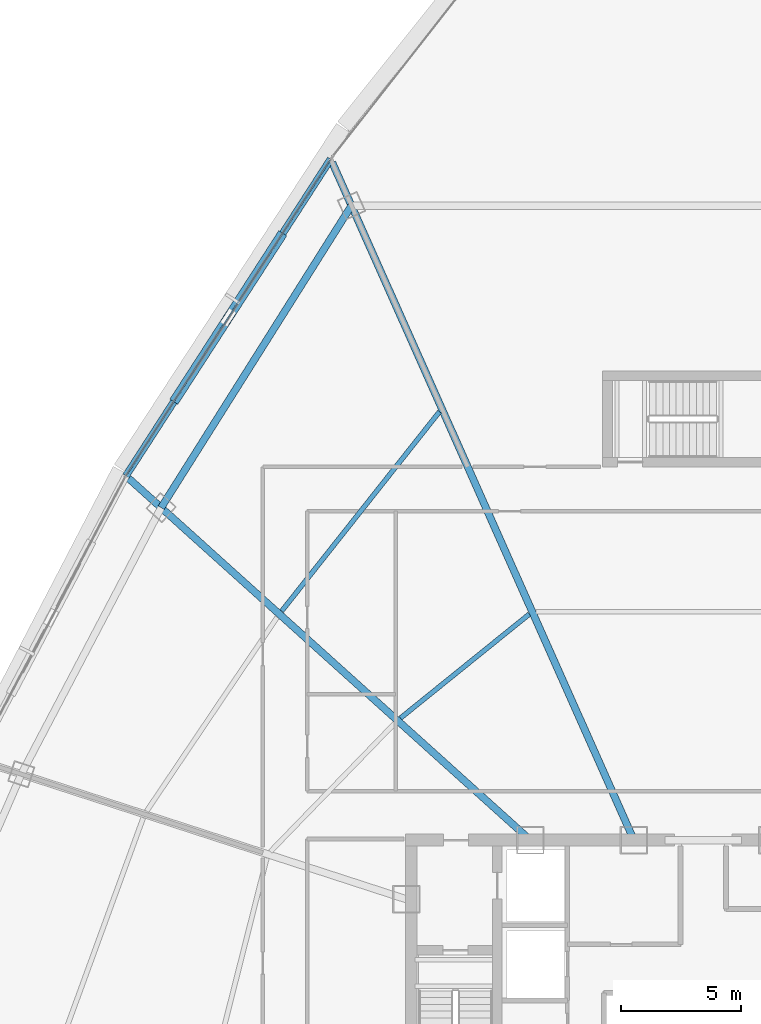
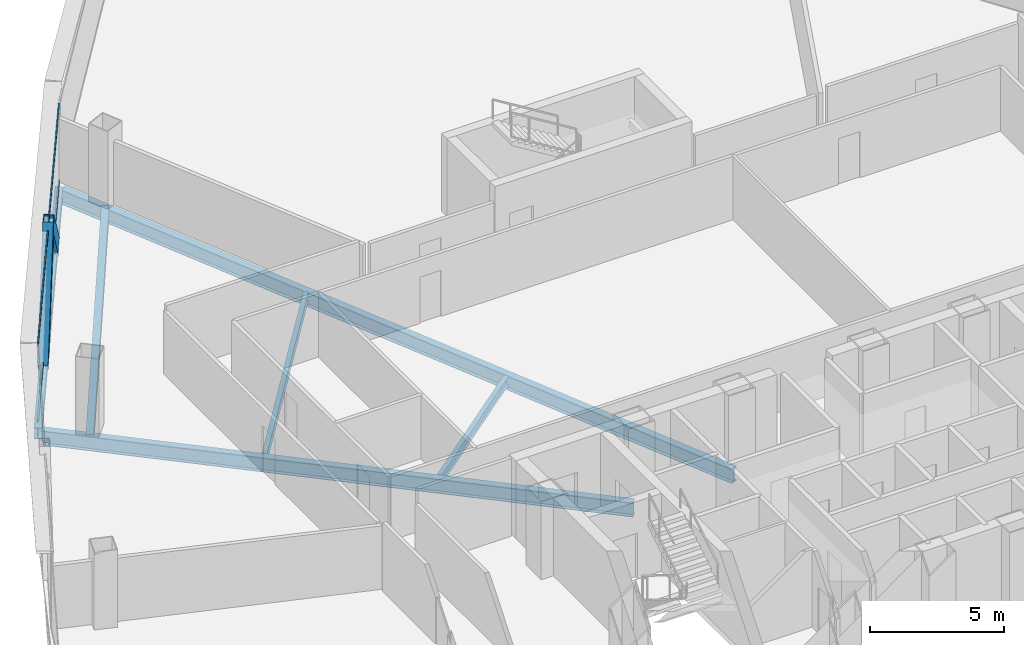
# One storey, part 17 of 37: 6 beams, 4 members, 1 element without a shape of its own.
"""IFC4 building model written with IfcOpenShell, lengths in metres."""

from ifc_helpers import new_model, si_unit, direction, frame, origin, origin_2d, place, context, subcontext, project, spatial, hollow_rectangle, i_section, extrude, source, transform, mapped, material, layer, layer_set, material_profile, profile_set, type_object, element, aggregate, save


model = new_model("IFC4")

# Units and contexts
model_context = context("Model", 3, precision=1e-05, world=origin(), true_north=direction((0.0, 1.0)))
body_context = subcontext(model_context, "Body", "Model", "MODEL_VIEW")
ifc_project = project(units=[si_unit("LENGTHUNIT", "METRE"), si_unit("AREAUNIT", "SQUARE_METRE"), si_unit("VOLUMEUNIT", "CUBIC_METRE"), si_unit("PLANEANGLEUNIT", "RADIAN"), si_unit("MASSUNIT", "GRAM", prefix="KILO"), si_unit("THERMODYNAMICTEMPERATUREUNIT", "KELVIN"), si_unit("POWERUNIT", "WATT")], contexts=[model_context])

# Site, building, storey
site_placement = place(None, origin())
site = spatial("IfcSite", under=ifc_project, at=site_placement, CompositionType="ELEMENT")
building_placement = place(site_placement, origin())
building = spatial("IfcBuilding", under=site, at=building_placement, Name="Yunzhuo Pagoda Commons", CompositionType="ELEMENT")
storey_placement = place(building_placement, frame((0.0, 0.0, 196.159912109375)))
storey = spatial("IfcBuildingStorey", under=building, at=storey_placement, Name="L49", CompositionType="ELEMENT", Elevation=196.159912109375)

# Beams
ifc_material_1 = material(Name="Structural steel Q355B", Category="steel")
ifc_material_profile_1 = material_profile(ifc_material_1, i_section(OverallWidth=0.300048828125, OverallDepth=0.64990234375, WebThickness=0.012939453125, FlangeThickness=0.02197265625, at=origin_2d()), Name="Structural steel Q355B")
ifc_profile_set_1 = profile_set([ifc_material_profile_1], Name="Structural steel Q355B")
beam_type_1 = type_object("IfcBeamType", Name="B-RG2 Beam HN 650x300x13x22", PredefinedType="BEAM", material=ifc_profile_set_1)
shared_shape_1 = source(origin(), body_context, "Body", "SweptSolid", [
    extrude(i_section(OverallWidth=0.300048828125, OverallDepth=0.64990234375, WebThickness=0.012939453125, FlangeThickness=0.02197265625, at=origin_2d()), origin(), (0.0, 0.0, 1.0), 14.916015625),
])
beam_1_placement = place(storey_placement, frame((33.301025390625, 66.714599609375, -0.5849609375), z_axis=(-0.533092374013, -0.846057043449, 0.0), x_axis=(0.846057043449, -0.533092374013, 0.0)))
element("IfcBeam", 1, at=beam_1_placement, inside=storey, type_object=beam_type_1, Name="L49 column-ring beam 9", PredefinedType="BEAM", context=body_context, shape_type="MappedRepresentation", body=[
    mapped(shared_shape_1, transform((0.0, 0.0, 0.0), scale=1.0)),
])
ifc_material_profile_2 = material_profile(ifc_material_1, i_section(OverallWidth=0.199951171875, OverallDepth=0.39990234375, WebThickness=0.008056640625, FlangeThickness=0.012939453125, at=origin_2d()), Name="Structural steel Q355B")
ifc_profile_set_2 = profile_set([ifc_material_profile_2], Name="Structural steel Q355B")
beam_type_2 = type_object("IfcBeamType", Name="B-JS1 Joist HN 400x200x8x13", PredefinedType="JOIST", material=ifc_profile_set_2)
shared_shape_2 = source(origin(), body_context, "Body", "SweptSolid", [
    extrude(i_section(OverallWidth=0.199951171875, OverallDepth=0.39990234375, WebThickness=0.008056640625, FlangeThickness=0.012939453125, at=origin_2d()), origin(), (0.0, 0.0, 1.0), 6.916748046875),
])
beam_2_placement = place(storey_placement, frame((40.732421875, 49.645263671875, -0.4599609375), z_axis=(-0.778265575865, -0.627935262127, 0.0), x_axis=(0.627935262127, -0.778265575865, 0.0)))
element("IfcBeam", 2, at=beam_2_placement, inside=storey, type_object=beam_type_2, Name="L49 composite ring joist 1.9", PredefinedType="JOIST", context=body_context, shape_type="MappedRepresentation", body=[
    mapped(shared_shape_2, transform((0.0, 0.0, 0.0), scale=1.0)),
])
shared_shape_3 = source(origin(), body_context, "Body", "SweptSolid", [
    extrude(i_section(OverallWidth=0.199951171875, OverallDepth=0.39990234375, WebThickness=0.008056640625, FlangeThickness=0.012939453125, at=origin_2d()), origin(), (0.0, 0.0, 1.0), 10.625732421875),
])
beam_3_placement = place(storey_placement, frame((36.980224609375, 58.105224609375, -0.4599609375), z_axis=(-0.620589944532, -0.784135269418, 0.0), x_axis=(0.784135269418, -0.620589944532, 0.0)))
element("IfcBeam", 3, at=beam_3_placement, inside=storey, type_object=beam_type_2, Name="L49 composite ring joist 2.9", PredefinedType="JOIST", context=body_context, shape_type="MappedRepresentation", body=[
    mapped(shared_shape_3, transform((0.0, 0.0, 0.0), scale=1.0)),
])
shared_shape_4 = source(origin(), body_context, "Body", "SweptSolid", [
    extrude(i_section(OverallWidth=0.300048828125, OverallDepth=0.64990234375, WebThickness=0.012939453125, FlangeThickness=0.02197265625, at=origin_2d()), origin(), (0.0, 0.0, 1.0), 22.59326171875),
])
beam_4_placement = place(storey_placement, frame((23.990966796875, 55.31787109375, -0.5849609375), z_axis=(0.743142605929, -0.669133071409, 0.0), x_axis=(0.669133071409, 0.743142605929, 0.0)))
element("IfcBeam", 4, at=beam_4_placement, inside=storey, type_object=beam_type_1, Name="L49 radial floor girder F3C2", PredefinedType="BEAM", context=body_context, shape_type="MappedRepresentation", body=[
    mapped(shared_shape_4, transform((0.0, 0.0, 0.0), scale=1.0)),
])
shared_shape_5 = source(origin(), body_context, "Body", "SweptSolid", [
    extrude(i_section(OverallWidth=0.300048828125, OverallDepth=0.64990234375, WebThickness=0.012939453125, FlangeThickness=0.02197265625, at=origin_2d()), origin(), (0.0, 0.0, 1.0), 30.999267578125),
])
beam_5_placement = place(storey_placement, frame((32.49755859375, 68.519287109375, -0.5849609375), z_axis=(0.406731735964, -0.913547642414, 0.0), x_axis=(0.913547642414, 0.406731735964, 0.0)))
element("IfcBeam", 5, at=beam_5_placement, inside=storey, type_object=beam_type_1, Name="L49 radial floor girder F3C1", PredefinedType="BEAM", context=body_context, shape_type="MappedRepresentation", body=[
    mapped(shared_shape_5, transform((0.0, 0.0, 0.0), scale=1.0)),
])
ifc_material_profile_3 = material_profile(ifc_material_1, i_section(OverallWidth=0.300048828125, OverallDepth=0.488037109375, WebThickness=0.010986328125, FlangeThickness=0.01806640625, at=origin_2d()), Name="Structural steel Q355B")
ifc_profile_set_3 = profile_set([ifc_material_profile_3], Name="Structural steel Q355B")
beam_type_3 = type_object("IfcBeamType", Name="B-SP1 Beam HM 488x300x11x18", PredefinedType="BEAM", material=ifc_profile_set_3)
shared_shape_6 = source(origin(), body_context, "Body", "SweptSolid", [
    extrude(i_section(OverallWidth=0.300048828125, OverallDepth=0.488037109375, WebThickness=0.010986328125, FlangeThickness=0.01806640625, at=origin_2d()), origin(), (0.0, 0.0, 1.0), 15.764892578125),
])
beam_6_placement = place(storey_placement, frame((32.4345703125, 68.660888671875, -0.50390625), z_axis=(-0.54290513086, -0.83979403361, 0.0), x_axis=(0.83979403361, -0.54290513086, 0.0)))
element("IfcBeam", 6, at=beam_6_placement, inside=storey, type_object=beam_type_3, Name="L49 facade edge spandrel beam F3.1", PredefinedType="BEAM", context=body_context, shape_type="MappedRepresentation", body=[
    mapped(shared_shape_6, transform((0.0, 0.0, 0.0), scale=1.0)),
])

# Members
ifc_material_profile_4 = material_profile(ifc_material_1, hollow_rectangle(XDim=0.39990234375, YDim=0.719970703125, WallThickness=0.02392578125, at=origin_2d()), Name="Structural steel Q355B")
ifc_profile_set_4 = profile_set([ifc_material_profile_4], Name="Structural steel Q355B")
member_type_1 = type_object("IfcMemberType", Name="M-DL2 Brace BOX 720x400x24", PredefinedType="BRACE", material=ifc_profile_set_4)
shared_shape_7 = source(origin(), body_context, "Body", "SweptSolid", [
    extrude(hollow_rectangle(XDim=0.39990234375, YDim=0.719970703125, WallThickness=0.02392578125, at=origin_2d()), origin(), (0.0, 0.0, 1.0), 5.474853515625),
])
for number, where, z_axis, x_axis, name in (
    (7, (30.294921875, 65.35107421875, -0.260009765625), (-0.390856056492, -0.604544844023, 0.694087224107), (0.839772851494, -0.542937895061, 0.0), "L49 facade diamond brace F3.1L"),
    (8, (26.015380859375, 58.7314453125, -0.260009765625), (0.390818275062, 0.604555380535, 0.694099321239), (-0.839801094268, 0.542894208908, 0.0), "L49 facade diamond brace F3.1R"),
):
    element("IfcMember", number, at=place(storey_placement, frame(where, z_axis=z_axis, x_axis=x_axis)), inside=storey, type_object=member_type_1, Name=name, PredefinedType="BRACE", context=body_context, shape_type="MappedRepresentation", body=[
        mapped(shared_shape_7, transform((0.0, 0.0, 0.0), scale=1.0)),
    ])

# Curtain wall, members
ifc_material_2 = material(Name="Anodized aluminium 6063-T6", Category="aluminium")
ifc_layer = layer(ifc_material_2, 0.14990234375)
ifc_layer_set = layer_set([ifc_layer], Name="Anodized aluminium 6063-T6")
curtain_wall_type = type_object("IfcCurtainWallType", Name="CW-MID Mid-Zone Ribbon Curtain Wall", PredefinedType="NOTDEFINED", material=ifc_layer_set)
curtain_wall_placement = place(storey_placement, origin())
curtain_wall = element("IfcCurtainWall", 9, at=curtain_wall_placement, inside=storey, type_object=curtain_wall_type, Name="L49 curtain wall CW-L49-F3B2", PredefinedType="NOTDEFINED")
ifc_material_profile_5 = material_profile(ifc_material_2, hollow_rectangle(XDim=0.054931640625, YDim=0.1298828125, WallThickness=0.00341796875, at=origin_2d()), Name="Anodized aluminium 6063-T6")
ifc_profile_set_5 = profile_set([ifc_material_profile_5], Name="Anodized aluminium 6063-T6")
member_type_2 = type_object("IfcMemberType", Name="CW-MID-T Transom RHS 130x55x3.5", PredefinedType="USERDEFINED", material=ifc_profile_set_5)
shared_shape_8 = source(origin(), body_context, "Body", "SweptSolid", [
    extrude(hollow_rectangle(XDim=0.054931640625, YDim=0.1298828125, WallThickness=0.00341796875, at=origin_2d()), origin(), (0.0, 0.0, 1.0), 15.64501953125),
])
member_1_placement = place(storey_placement, frame((32.402099609375, 68.6103515625, 0.027587890625), z_axis=(-0.542916068365, -0.839786962694, 0.0), x_axis=(0.839786962694, -0.542916068365, 0.0)))
member_1 = element("IfcMember", 10, at=member_1_placement, type_object=member_type_2, Name="CW transom 1.1", ObjectType="TRANSOM", PredefinedType="USERDEFINED", context=body_context, shape_type="MappedRepresentation", body=[
    mapped(shared_shape_8, transform((0.0, 0.0, 0.0), scale=1.0)),
])
member_2_placement = place(storey_placement, frame((32.402099609375, 68.6103515625, 3.5126953125), z_axis=(-0.542916068365, -0.839786962694, 0.0), x_axis=(0.839786962694, -0.542916068365, 0.0)))
member_2 = element("IfcMember", 11, at=member_2_placement, type_object=member_type_2, Name="CW transom 1.2", ObjectType="TRANSOM", PredefinedType="USERDEFINED", context=body_context, shape_type="MappedRepresentation", body=[
    mapped(shared_shape_8, transform((0.0, 0.0, 0.0), scale=1.0)),
])
aggregate(curtain_wall, [member_1, member_2])

save(model, "model.ifc")
